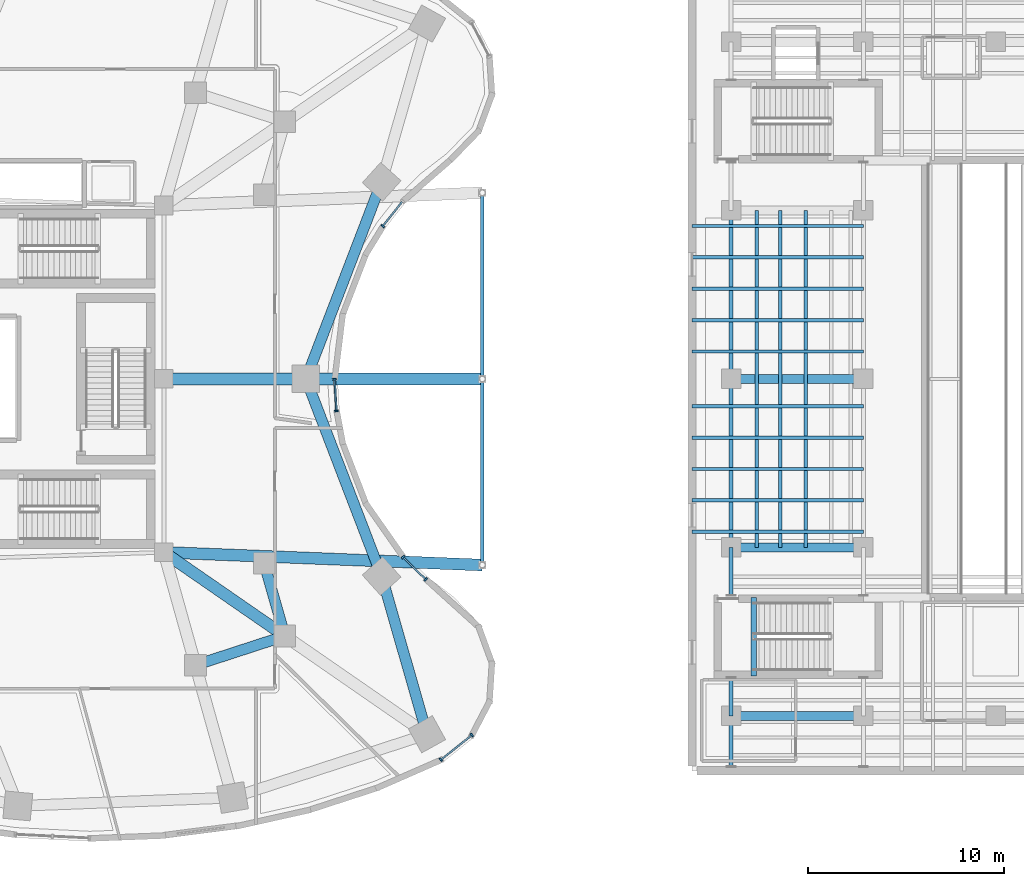
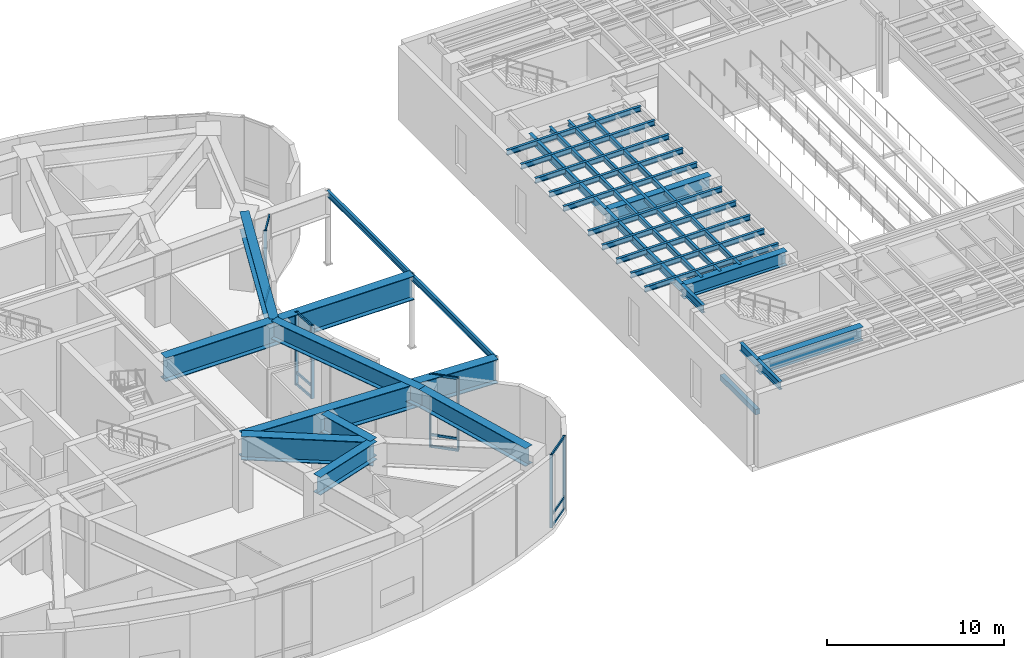
# One storey, part 8 of 23: 32 beams, 19 members, 4 elements without a shape of their own.
"""IFC4 building model written with IfcOpenShell, lengths in metres."""

from ifc_helpers import new_model, si_unit, direction, frame, origin, origin_2d, place, context, subcontext, project, spatial, rectangle, i_section, extrude, material, layer, layer_set, material_profile, profile_set, type_object, element, aggregate, save


model = new_model("IFC4")

# Units and contexts
model_context = context("Model", 3, precision=1e-05, world=origin(), true_north=direction((0.0, 1.0)))
body_context = subcontext(model_context, "Body", "Model", "MODEL_VIEW")
ifc_project = project(units=[si_unit("LENGTHUNIT", "METRE"), si_unit("AREAUNIT", "SQUARE_METRE"), si_unit("VOLUMEUNIT", "CUBIC_METRE"), si_unit("PLANEANGLEUNIT", "RADIAN"), si_unit("MASSUNIT", "GRAM", prefix="KILO")], contexts=[model_context])

# Site, building, storey
site_placement = place(None, origin())
site = spatial("IfcSite", under=ifc_project, at=site_placement, CompositionType="ELEMENT")
building_placement = place(site_placement, origin())
building = spatial("IfcBuilding", under=site, at=building_placement, Name="Korentha Bioscience Tower", CompositionType="ELEMENT")
storey_placement = place(building_placement, frame((0.0, 0.0, 15.0)))
storey = spatial("IfcBuildingStorey", under=building, at=storey_placement, Name="L03", CompositionType="ELEMENT", Elevation=15.0)

# Beams
ifc_material_1 = material(Name="Concrete C50", Category="concrete")
ifc_material_profile_1 = material_profile(ifc_material_1, rectangle(XDim=0.280029296875, YDim=0.3798828125, at=origin_2d()), Name="Concrete C50")
ifc_profile_set_1 = profile_set([ifc_material_profile_1], Name="Concrete C50 (ST-HB380)")
beam_type_1 = type_object("IfcBeamType", Name="Concrete Stair Header Beam RC 280x380", PredefinedType="BEAM", material=ifc_profile_set_1)
beam_1_placement = place(storey_placement, frame((67.64990234375, 11.85009765625, -0.18994140625), z_axis=(0.0, 1.0, 0.0), x_axis=(-1.0, 0.0, 0.0)))
element("IfcBeam", 1, at=beam_1_placement, inside=storey, type_object=beam_type_1, Name="L03 ST-T1 Concrete Stair Header Beam", PredefinedType="BEAM", context=body_context, shape_type="SweptSolid", body=[
    extrude(rectangle(XDim=0.280029296875, YDim=0.3798828125, at=origin_2d()), origin(), (0.0, 0.0, 1.0), 4.0),
])
ifc_material_2 = material(Name="Steel S355", Category="steel")
ifc_material_profile_2 = material_profile(ifc_material_2, i_section(OverallWidth=0.550048828125, OverallDepth=1.25, WebThickness=0.02392578125, FlangeThickness=0.0400390625, at=origin_2d()), Name="Steel S355")
ifc_profile_set_2 = profile_set([ifc_material_profile_2], Name="Steel S355 (TG-03)")
beam_type_2 = type_object("IfcBeamType", Name="Crown Step Transfer Girder CVS 1250x510", PredefinedType="USERDEFINED", material=ifc_profile_set_2)
beam_2_placement = place(storey_placement, frame((39.1611328125, 12.392333984375, 4.425048828125), z_axis=(0.950877001105, 0.309568940253, 0.0), x_axis=(-0.309568940253, 0.950877001105, 0.0)))
element("IfcBeam", 2, at=beam_2_placement, inside=storey, type_object=beam_type_2, Name="L03 Mid-Ring Tie Girder 12", ObjectType="TRANSFER_GIRDER", PredefinedType="USERDEFINED", context=body_context, shape_type="SweptSolid", body=[
    extrude(i_section(OverallWidth=0.550048828125, OverallDepth=1.25, WebThickness=0.02392578125, FlangeThickness=0.0400390625, at=origin_2d()), origin(), (0.0, 0.0, 1.0), 4.80126953125),
])
beam_3_placement = place(storey_placement, frame((43.7265625, 13.878662109375, 4.425048828125), z_axis=(-0.27560557792, 0.961270807535, 0.0), x_axis=(-0.961270807535, -0.27560557792, 0.0)))
element("IfcBeam", 3, at=beam_3_placement, inside=storey, type_object=beam_type_2, Name="L03 Mid-Ring Tie Girder 13", ObjectType="TRANSFER_GIRDER", PredefinedType="USERDEFINED", context=body_context, shape_type="SweptSolid", body=[
    extrude(i_section(OverallWidth=0.550048828125, OverallDepth=1.25, WebThickness=0.02392578125, FlangeThickness=0.0400390625, at=origin_2d()), origin(), (0.0, 0.0, 1.0), 3.864013671875),
])
beam_4_placement = place(storey_placement, frame((50.977294921875, 8.864501953125, 4.425048828125), z_axis=(-0.275642273411, 0.961260285827, 0.0), x_axis=(-0.961260285827, -0.275642273411, 0.0)))
element("IfcBeam", 4, at=beam_4_placement, inside=storey, type_object=beam_type_2, Name="L03 Perimeter Spandrel Girder 13", ObjectType="TRANSFER_GIRDER", PredefinedType="USERDEFINED", context=body_context, shape_type="SweptSolid", body=[
    extrude(i_section(OverallWidth=0.550048828125, OverallDepth=1.25, WebThickness=0.02392578125, FlangeThickness=0.0400390625, at=origin_2d()), origin(), (0.0, 0.0, 1.0), 8.400146484375),
])
for number, where, z_axis, x_axis, name in (
    (5, (48.661865234375, 16.939208984375, 4.425048828125), (-0.358473520253, 0.93353989485, 0.0), (-0.93353989485, -0.358473520253, 0.0), "L03 Perimeter Spandrel Girder 14"),
    (6, (44.798583984375, 27.0, 4.425048828125), (0.358473520253, 0.93353989485, 0.0), (-0.93353989485, 0.358473520253, 0.0), "L03 Perimeter Spandrel Girder 15"),
):
    element("IfcBeam", number, at=place(storey_placement, frame(where, z_axis=z_axis, x_axis=x_axis)), inside=storey, type_object=beam_type_2, Name=name, ObjectType="TRANSFER_GIRDER", PredefinedType="USERDEFINED", context=body_context, shape_type="SweptSolid", body=[
        extrude(i_section(OverallWidth=0.550048828125, OverallDepth=1.25, WebThickness=0.02392578125, FlangeThickness=0.0400390625, at=origin_2d()), origin(), (0.0, 0.0, 1.0), 10.777099609375),
    ])
ifc_material_profile_3 = material_profile(ifc_material_2, i_section(OverallWidth=0.60009765625, OverallDepth=1.64990234375, WebThickness=0.02587890625, FlangeThickness=0.0439453125, at=origin_2d()), Name="Steel S355")
ifc_profile_set_3 = profile_set([ifc_material_profile_3], Name="Steel S355 (TG-04)")
beam_type_3 = type_object("IfcBeamType", Name="Deep Setback Transfer Girder CVS 1650x620", PredefinedType="USERDEFINED", material=ifc_profile_set_3)
beam_5_placement = place(storey_placement, frame((37.550048828125, 18.14990234375, 4.22509765625), z_axis=(0.822491697625, -0.568777115694, 0.0), x_axis=(0.568777115694, 0.822491697625, 0.0)))
element("IfcBeam", 7, at=beam_5_placement, inside=storey, type_object=beam_type_3, Name="L03 Inner Radial Transfer Girder 13", ObjectType="TRANSFER_GIRDER", PredefinedType="USERDEFINED", context=body_context, shape_type="SweptSolid", body=[
    extrude(i_section(OverallWidth=0.60009765625, OverallDepth=1.64990234375, WebThickness=0.02587890625, FlangeThickness=0.0439453125, at=origin_2d()), origin(), (0.0, 0.0, 1.0), 7.509521484375),
])
beam_6_placement = place(storey_placement, frame((37.550048828125, 18.14990234375, 4.22509765625), z_axis=(0.999201198513, -0.039962043126, 0.0), x_axis=(0.039962043126, 0.999201198513, 0.0)))
element("IfcBeam", 8, at=beam_6_placement, inside=storey, type_object=beam_type_3, Name="L03 Courtyard Terrace Support Girder 1", ObjectType="TRANSFER_GIRDER", PredefinedType="USERDEFINED", context=body_context, shape_type="SweptSolid", body=[
    extrude(i_section(OverallWidth=0.60009765625, OverallDepth=1.64990234375, WebThickness=0.02587890625, FlangeThickness=0.0439453125, at=origin_2d()), origin(), (0.0, 0.0, 1.0), 16.262939453125),
])
beam_7_placement = place(storey_placement, frame((37.550048828125, 27.0, 4.22509765625), z_axis=(1.0, 0.0, 0.0), x_axis=(0.0, 1.0, 0.0)))
element("IfcBeam", 9, at=beam_7_placement, inside=storey, type_object=beam_type_3, Name="L03 Courtyard Terrace Support Girder 2", ObjectType="TRANSFER_GIRDER", PredefinedType="USERDEFINED", context=body_context, shape_type="SweptSolid", body=[
    extrude(i_section(OverallWidth=0.60009765625, OverallDepth=1.64990234375, WebThickness=0.02587890625, FlangeThickness=0.0439453125, at=origin_2d()), origin(), (0.0, 0.0, 1.0), 16.25),
])

# Curtain wall, members
ifc_material_3 = material(Name="Stone-Clad Aluminium Frame", Category="masonry")
ifc_layer = layer(ifc_material_3, 0.219970703125, Name="Stone-Clad Aluminium Frame")
ifc_layer_set = layer_set([ifc_layer], Name="Stone-Clad Aluminium Frame (CW-P1)")
curtain_wall_type = type_object("IfcCurtainWallType", Name="Podium Double-Height Stone-Mullion Curtain Wall CW-P1", PredefinedType="USERDEFINED", material=ifc_layer_set)
curtain_wall_1_placement = place(storey_placement, origin())
curtain_wall_1 = element("IfcCurtainWall", 10, at=curtain_wall_1_placement, inside=storey, type_object=curtain_wall_type, Name="L03 Curtain Wall 37", ObjectType="UNITISED", PredefinedType="USERDEFINED")
ifc_material_4 = material(Name="Anodised Aluminium 6063-T6", Category="aluminium")
ifc_material_profile_4 = material_profile(ifc_material_4, rectangle(XDim=0.090087890625, YDim=0.199951171875, at=origin_2d()), Name="Anodised Aluminium 6063-T6")
ifc_profile_set_4 = profile_set([ifc_material_profile_4], Name="Anodised Aluminium 6063-T6 (CW-MUL)")
member_type_1 = type_object("IfcMemberType", Name="Mullion RECT 90x200", PredefinedType="MULLION", material=ifc_profile_set_4)
member_1_placement = place(storey_placement, frame((51.6865234375, 7.56298828125, 0.0), z_axis=(0.0, 0.0, 1.0), x_axis=(0.782287851332, 0.62291710336, 0.0)))
member_1 = element("IfcMember", 11, at=member_1_placement, type_object=member_type_1, Name="CW-L03-37 Mullion 1", PredefinedType="MULLION", context=body_context, shape_type="SweptSolid", body=[
    extrude(rectangle(XDim=0.090087890625, YDim=0.199951171875, at=origin_2d()), origin(), (0.0, 0.0, 1.0), 5.050048828125),
])
member_2_placement = place(storey_placement, frame((53.264892578125, 8.81982421875, 0.0), z_axis=(0.0, 0.0, 1.0), x_axis=(0.782287851332, 0.62291710336, 0.0)))
member_2 = element("IfcMember", 12, at=member_2_placement, type_object=member_type_1, Name="CW-L03-37 Mullion 2", PredefinedType="MULLION", context=body_context, shape_type="SweptSolid", body=[
    extrude(rectangle(XDim=0.090087890625, YDim=0.199951171875, at=origin_2d()), origin(), (0.0, 0.0, 1.0), 5.050048828125),
])

curtain_wall_2_placement = place(storey_placement, origin())
curtain_wall_2 = element("IfcCurtainWall", 13, at=curtain_wall_2_placement, inside=storey, type_object=curtain_wall_type, Name="L03 Curtain Wall 43", ObjectType="UNITISED", PredefinedType="USERDEFINED")
member_3_placement = place(storey_placement, frame((50.913818359375, 16.76513671875, 0.0), z_axis=(0.0, 0.0, 1.0), x_axis=(-0.713279246754, 0.700879958445, 0.0)))
member_3 = element("IfcMember", 14, at=member_3_placement, type_object=member_type_1, Name="CW-L03-43 Mullion 1", PredefinedType="MULLION", context=body_context, shape_type="SweptSolid", body=[
    extrude(rectangle(XDim=0.090087890625, YDim=0.199951171875, at=origin_2d()), origin(), (0.0, 0.0, 1.0), 5.050048828125),
])
member_4_placement = place(storey_placement, frame((49.752685546875, 17.90625, 0.0), z_axis=(0.0, 0.0, 1.0), x_axis=(-0.713279246754, 0.700879958445, 0.0)))
member_4 = element("IfcMember", 15, at=member_4_placement, type_object=member_type_1, Name="CW-L03-43 Mullion 2", PredefinedType="MULLION", context=body_context, shape_type="SweptSolid", body=[
    extrude(rectangle(XDim=0.090087890625, YDim=0.199951171875, at=origin_2d()), origin(), (0.0, 0.0, 1.0), 5.050048828125),
])

curtain_wall_3_placement = place(storey_placement, origin())
curtain_wall_3 = element("IfcCurtainWall", 16, at=curtain_wall_3_placement, inside=storey, type_object=curtain_wall_type, Name="L03 Curtain Wall 49", ObjectType="UNITISED", PredefinedType="USERDEFINED")
member_5_placement = place(storey_placement, frame((46.355712890625, 25.3603515625, 0.0), z_axis=(0.0, 0.0, 1.0), x_axis=(-0.061008272998, 0.998137260413, 0.0)))
member_5 = element("IfcMember", 17, at=member_5_placement, type_object=member_type_1, Name="CW-L03-49 Mullion 1", PredefinedType="MULLION", context=body_context, shape_type="SweptSolid", body=[
    extrude(rectangle(XDim=0.090087890625, YDim=0.199951171875, at=origin_2d()), origin(), (0.0, 0.0, 1.0), 5.050048828125),
])
member_6_placement = place(storey_placement, frame((46.25634765625, 26.985107421875, 0.0), z_axis=(0.0, 0.0, 1.0), x_axis=(-0.061008272998, 0.998137260413, 0.0)))
member_6 = element("IfcMember", 18, at=member_6_placement, type_object=member_type_1, Name="CW-L03-49 Mullion 2", PredefinedType="MULLION", context=body_context, shape_type="SweptSolid", body=[
    extrude(rectangle(XDim=0.090087890625, YDim=0.199951171875, at=origin_2d()), origin(), (0.0, 0.0, 1.0), 5.050048828125),
])

# Curtain wall, member
curtain_wall_4_placement = place(storey_placement, origin())
curtain_wall_4 = element("IfcCurtainWall", 19, at=curtain_wall_4_placement, inside=storey, type_object=curtain_wall_type, Name="L03 Curtain Wall 55", ObjectType="UNITISED", PredefinedType="USERDEFINED")
member_7_placement = place(storey_placement, frame((48.719482421875, 34.7978515625, 0.0), z_axis=(0.0, 0.0, 1.0), x_axis=(0.622520324648, 0.782603632371, 0.0)))
member_7 = element("IfcMember", 20, at=member_7_placement, type_object=member_type_1, Name="CW-L03-55 Mullion 1", PredefinedType="MULLION", context=body_context, shape_type="SweptSolid", body=[
    extrude(rectangle(XDim=0.090087890625, YDim=0.199951171875, at=origin_2d()), origin(), (0.0, 0.0, 1.0), 5.050048828125),
])

# Beams
ifc_material_profile_5 = material_profile(ifc_material_2, i_section(OverallWidth=0.208984375, OverallDepth=0.532958984375, WebThickness=0.01025390625, FlangeThickness=0.015625, at=origin_2d()), Name="Steel S355")
ifc_profile_set_5 = profile_set([ifc_material_profile_5], Name="Steel S355 (SB-530)")
beam_type_4 = type_object("IfcBeamType", Name="Perimeter Ring Spandrel Girder W530x92", PredefinedType="SPANDREL", material=ifc_profile_set_5)
beam_8_placement = place(storey_placement, frame((66.5, 7.2099609375, 4.83349609375), z_axis=(0.0, 1.0, 0.0), x_axis=(-1.0, 0.0, 0.0)))
element("IfcBeam", 21, at=beam_8_placement, inside=storey, type_object=beam_type_4, Name="L03 Theatre Collector Girder 1-1", PredefinedType="SPANDREL", context=body_context, shape_type="SweptSolid", body=[
    extrude(i_section(OverallWidth=0.208984375, OverallDepth=0.532958984375, WebThickness=0.01025390625, FlangeThickness=0.015625, at=origin_2d()), origin(), (0.0, 0.0, 1.0), 2.590087890625),
])
beam_9_placement = place(storey_placement, frame((66.5, 9.800048828125, 4.83349609375), z_axis=(0.0, 1.0, 0.0), x_axis=(-1.0, 0.0, 0.0)))
element("IfcBeam", 22, at=beam_9_placement, inside=storey, type_object=beam_type_4, Name="L03 Theatre Collector Girder 1-2", PredefinedType="SPANDREL", context=body_context, shape_type="SweptSolid", body=[
    extrude(i_section(OverallWidth=0.208984375, OverallDepth=0.532958984375, WebThickness=0.01025390625, FlangeThickness=0.015625, at=origin_2d()), origin(), (0.0, 0.0, 1.0), 1.949951171875),
])
beam_10_placement = place(storey_placement, frame((66.5, 15.949951171875, 4.83349609375), z_axis=(0.0, 1.0, 0.0), x_axis=(-1.0, 0.0, 0.0)))
element("IfcBeam", 23, at=beam_10_placement, inside=storey, type_object=beam_type_4, Name="L03 Theatre Collector Girder 1-3", PredefinedType="SPANDREL", context=body_context, shape_type="SweptSolid", body=[
    extrude(i_section(OverallWidth=0.208984375, OverallDepth=0.532958984375, WebThickness=0.01025390625, FlangeThickness=0.015625, at=origin_2d()), origin(), (0.0, 0.0, 1.0), 2.449951171875),
])
for number, where, z_axis, x_axis, name in (
    (24, (66.5, 18.39990234375, 4.83349609375), (0.0, 1.0, 0.0), (-1.0, 0.0, 0.0), "L03 Theatre Collector Girder 1-4"),
    (25, (66.5, 27.0, 4.83349609375), (0.0, 1.0, 0.0), (-1.0, 0.0, 0.0), "L03 Theatre Collector Girder 1-5"),
):
    element("IfcBeam", number, at=place(storey_placement, frame(where, z_axis=z_axis, x_axis=x_axis)), inside=storey, type_object=beam_type_4, Name=name, PredefinedType="SPANDREL", context=body_context, shape_type="SweptSolid", body=[
        extrude(i_section(OverallWidth=0.208984375, OverallDepth=0.532958984375, WebThickness=0.01025390625, FlangeThickness=0.015625, at=origin_2d()), origin(), (0.0, 0.0, 1.0), 8.60009765625),
    ])
ifc_material_profile_6 = material_profile(ifc_material_2, i_section(OverallWidth=0.1708984375, OverallDepth=0.35498046875, WebThickness=0.007080078125, FlangeThickness=0.01171875, at=origin_2d()), Name="Steel S355")
ifc_profile_set_6 = profile_set([ifc_material_profile_6], Name="Steel S355 (JB-360)")
beam_type_5 = type_object("IfcBeamType", Name="Secondary Laboratory Joist W360x51", PredefinedType="JOIST", material=ifc_profile_set_6)
for number, where, z_axis, x_axis, name in (
    (26, (67.800048828125, 18.39990234375, 4.922607421875), (0.0, 1.0, 0.0), (-1.0, 0.0, 0.0), "L03 Theatre Foyer Longitudinal Joist 01"),
    (27, (69.0, 18.39990234375, 4.922607421875), (0.0, 1.0, 0.0), (-1.0, 0.0, 0.0), "L03 Theatre Foyer Longitudinal Joist 02"),
    (28, (70.300048828125, 18.39990234375, 4.922607421875), (0.0, 1.0, 0.0), (-1.0, 0.0, 0.0), "L03 Theatre Foyer Longitudinal Joist 03"),
):
    element("IfcBeam", number, at=place(storey_placement, frame(where, z_axis=z_axis, x_axis=x_axis)), inside=storey, type_object=beam_type_5, Name=name, PredefinedType="JOIST", context=body_context, shape_type="SweptSolid", body=[
        extrude(i_section(OverallWidth=0.1708984375, OverallDepth=0.35498046875, WebThickness=0.007080078125, FlangeThickness=0.01171875, at=origin_2d()), origin(), (0.0, 0.0, 1.0), 17.2001953125),
    ])
for number, where, z_axis, x_axis, name in (
    (29, (64.5, 19.199951171875, 4.922607421875), (1.0, 0.0, 0.0), (0.0, 1.0, 0.0), "L03 Theatre Foyer Joist 01"),
    (30, (64.5, 20.800048828125, 4.922607421875), (1.0, 0.0, 0.0), (0.0, 1.0, 0.0), "L03 Theatre Foyer Joist 02"),
    (31, (64.5, 22.39990234375, 4.922607421875), (1.0, 0.0, 0.0), (0.0, 1.0, 0.0), "L03 Theatre Foyer Joist 03"),
    (32, (64.5, 24.0, 4.922607421875), (1.0, 0.0, 0.0), (0.0, 1.0, 0.0), "L03 Theatre Foyer Joist 04"),
    (33, (64.5, 25.60009765625, 4.922607421875), (1.0, 0.0, 0.0), (0.0, 1.0, 0.0), "L03 Theatre Foyer Joist 05"),
    (34, (64.5, 28.39990234375, 4.922607421875), (1.0, 0.0, 0.0), (0.0, 1.0, 0.0), "L03 Theatre Foyer Joist 06"),
    (35, (64.5, 30.0, 4.922607421875), (1.0, 0.0, 0.0), (0.0, 1.0, 0.0), "L03 Theatre Foyer Joist 07"),
    (36, (64.5, 31.60009765625, 4.922607421875), (1.0, 0.0, 0.0), (0.0, 1.0, 0.0), "L03 Theatre Foyer Joist 08"),
    (37, (64.5, 33.199951171875, 4.922607421875), (1.0, 0.0, 0.0), (0.0, 1.0, 0.0), "L03 Theatre Foyer Joist 09"),
    (38, (64.5, 34.800048828125, 4.922607421875), (1.0, 0.0, 0.0), (0.0, 1.0, 0.0), "L03 Theatre Foyer Joist 10"),
):
    element("IfcBeam", number, at=place(storey_placement, frame(where, z_axis=z_axis, x_axis=x_axis)), inside=storey, type_object=beam_type_5, Name=name, PredefinedType="JOIST", context=body_context, shape_type="SweptSolid", body=[
        extrude(i_section(OverallWidth=0.1708984375, OverallDepth=0.35498046875, WebThickness=0.007080078125, FlangeThickness=0.01171875, at=origin_2d()), origin(), (0.0, 0.0, 1.0), 8.75),
    ])
ifc_material_profile_7 = material_profile(ifc_material_2, i_section(OverallWidth=0.177978515625, OverallDepth=0.406982421875, WebThickness=0.0078125, FlangeThickness=0.0126953125, at=origin_2d()), Name="Steel S355")
ifc_profile_set_7 = profile_set([ifc_material_profile_7], Name="Steel S355 (CB-410)")
beam_type_6 = type_object("IfcBeamType", Name="Sun-Ledge Cantilever Beam W410x60", PredefinedType="BEAM", material=ifc_profile_set_7)
for number, where, z_axis, x_axis, name in (
    (39, (53.800048828125, 17.5, 4.846435546875), (0.0, 1.0, 0.0), (-1.0, 0.0, 0.0), "L03 Courtyard Terrace Edge Beam 1"),
    (40, (53.800048828125, 27.0, 4.846435546875), (0.0, 1.0, 0.0), (-1.0, 0.0, 0.0), "L03 Courtyard Terrace Edge Beam 2"),
):
    element("IfcBeam", number, at=place(storey_placement, frame(where, z_axis=z_axis, x_axis=x_axis)), inside=storey, type_object=beam_type_6, Name=name, PredefinedType="BEAM", context=body_context, shape_type="SweptSolid", body=[
        extrude(i_section(OverallWidth=0.177978515625, OverallDepth=0.406982421875, WebThickness=0.0078125, FlangeThickness=0.0126953125, at=origin_2d()), origin(), (0.0, 0.0, 1.0), 9.5),
    ])
ifc_material_profile_8 = material_profile(ifc_material_2, i_section(OverallWidth=0.449951171875, OverallDepth=0.949951171875, WebThickness=0.02001953125, FlangeThickness=0.034912109375, at=origin_2d()), Name="Steel S355")
ifc_profile_set_8 = profile_set([ifc_material_profile_8], Name="Steel S355 (TB-950)")
beam_type_7 = type_object("IfcBeamType", Name="Theatre Primary Girder CVS 950x374", PredefinedType="BEAM", material=ifc_profile_set_8)
for number, where, z_axis, x_axis, name in (
    (41, (66.5, 9.800048828125, 4.625), (1.0, 0.0, 0.0), (0.0, 1.0, 0.0), "L03 Theatre Foyer Girder 1"),
    (42, (66.5, 18.39990234375, 4.625), (1.0, 0.0, 0.0), (0.0, 1.0, 0.0), "L03 Theatre Foyer Girder 2"),
    (43, (66.5, 27.0, 4.625), (1.0, 0.0, 0.0), (0.0, 1.0, 0.0), "L03 Theatre Foyer Girder 3"),
):
    element("IfcBeam", number, at=place(storey_placement, frame(where, z_axis=z_axis, x_axis=x_axis)), inside=storey, type_object=beam_type_7, Name=name, PredefinedType="BEAM", context=body_context, shape_type="SweptSolid", body=[
        extrude(i_section(OverallWidth=0.449951171875, OverallDepth=0.949951171875, WebThickness=0.02001953125, FlangeThickness=0.034912109375, at=origin_2d()), origin(), (0.0, 0.0, 1.0), 6.75),
    ])

# Member
ifc_material_profile_9 = material_profile(ifc_material_4, rectangle(XDim=0.090087890625, YDim=0.159912109375, at=origin_2d()), Name="Anodised Aluminium 6063-T6")
ifc_profile_set_9 = profile_set([ifc_material_profile_9], Name="Anodised Aluminium 6063-T6 (CW-TRN)")
member_type_2 = type_object("IfcMemberType", Name="Transom RECT 90x160", PredefinedType="USERDEFINED", material=ifc_profile_set_9)
member_8_placement = place(storey_placement, frame((51.7216796875, 7.591064453125, 0.044921875), z_axis=(0.78232471634, 0.622870803782, 0.0), x_axis=(-0.622870803782, 0.78232471634, 0.0)))
member_8 = element("IfcMember", 44, at=member_8_placement, type_object=member_type_2, Name="CW-L03-37 Bay 1 Transom 1", ObjectType="TRANSOM", PredefinedType="USERDEFINED", context=body_context, shape_type="SweptSolid", body=[
    extrude(rectangle(XDim=0.090087890625, YDim=0.159912109375, at=origin_2d()), origin(), (0.0, 0.0, 1.0), 1.927734375),
])

member_9_placement = place(storey_placement, frame((51.7216796875, 7.591064453125, 0.85009765625), z_axis=(0.78232471634, 0.622870803782, 0.0), x_axis=(-0.622870803782, 0.78232471634, 0.0)))
member_9 = element("IfcMember", 45, at=member_9_placement, type_object=member_type_2, Name="CW-L03-37 Bay 1 Transom 2", ObjectType="TRANSOM", PredefinedType="USERDEFINED", context=body_context, shape_type="SweptSolid", body=[
    extrude(rectangle(XDim=0.090087890625, YDim=0.159912109375, at=origin_2d()), origin(), (0.0, 0.0, 1.0), 1.927734375),
])

member_10_placement = place(storey_placement, frame((51.7216796875, 7.591064453125, 5.0048828125), z_axis=(0.78232471634, 0.622870803782, 0.0), x_axis=(-0.622870803782, 0.78232471634, 0.0)))
member_10 = element("IfcMember", 46, at=member_10_placement, type_object=member_type_2, Name="CW-L03-37 Bay 1 Transom 3", ObjectType="TRANSOM", PredefinedType="USERDEFINED", context=body_context, shape_type="SweptSolid", body=[
    extrude(rectangle(XDim=0.090087890625, YDim=0.159912109375, at=origin_2d()), origin(), (0.0, 0.0, 1.0), 1.927734375),
])

aggregate(curtain_wall_1, [member_1, member_2, member_8, member_9, member_10])

member_11_placement = place(storey_placement, frame((50.8818359375, 16.796875, 0.044921875), z_axis=(-0.713350356322, 0.700807583531, 0.0), x_axis=(-0.700807583531, -0.713350356322, 0.0)))
member_11 = element("IfcMember", 47, at=member_11_placement, type_object=member_type_2, Name="CW-L03-43 Bay 1 Transom 1", ObjectType="TRANSOM", PredefinedType="USERDEFINED", context=body_context, shape_type="SweptSolid", body=[
    extrude(rectangle(XDim=0.090087890625, YDim=0.159912109375, at=origin_2d()), origin(), (0.0, 0.0, 1.0), 1.53759765625),
])

member_12_placement = place(storey_placement, frame((50.8818359375, 16.796875, 0.85009765625), z_axis=(-0.713350356322, 0.700807583531, 0.0), x_axis=(-0.700807583531, -0.713350356322, 0.0)))
member_12 = element("IfcMember", 48, at=member_12_placement, type_object=member_type_2, Name="CW-L03-43 Bay 1 Transom 2", ObjectType="TRANSOM", PredefinedType="USERDEFINED", context=body_context, shape_type="SweptSolid", body=[
    extrude(rectangle(XDim=0.090087890625, YDim=0.159912109375, at=origin_2d()), origin(), (0.0, 0.0, 1.0), 1.53759765625),
])

member_13_placement = place(storey_placement, frame((50.8818359375, 16.796875, 5.0048828125), z_axis=(-0.713350356322, 0.700807583531, 0.0), x_axis=(-0.700807583531, -0.713350356322, 0.0)))
member_13 = element("IfcMember", 49, at=member_13_placement, type_object=member_type_2, Name="CW-L03-43 Bay 1 Transom 3", ObjectType="TRANSOM", PredefinedType="USERDEFINED", context=body_context, shape_type="SweptSolid", body=[
    extrude(rectangle(XDim=0.090087890625, YDim=0.159912109375, at=origin_2d()), origin(), (0.0, 0.0, 1.0), 1.53759765625),
])

aggregate(curtain_wall_2, [member_3, member_4, member_11, member_12, member_13])

member_14_placement = place(storey_placement, frame((46.352783203125, 25.4052734375, 0.044921875), z_axis=(-0.060964804815, 0.998139916331, 0.0), x_axis=(-0.998139916331, -0.060964804815, 0.0)))
member_14 = element("IfcMember", 50, at=member_14_placement, type_object=member_type_2, Name="CW-L03-49 Bay 1 Transom 1", ObjectType="TRANSOM", PredefinedType="USERDEFINED", context=body_context, shape_type="SweptSolid", body=[
    extrude(rectangle(XDim=0.090087890625, YDim=0.159912109375, at=origin_2d()), origin(), (0.0, 0.0, 1.0), 1.537841796875),
])

member_15_placement = place(storey_placement, frame((46.352783203125, 25.4052734375, 0.85009765625), z_axis=(-0.060964804815, 0.998139916331, 0.0), x_axis=(-0.998139916331, -0.060964804815, 0.0)))
member_15 = element("IfcMember", 51, at=member_15_placement, type_object=member_type_2, Name="CW-L03-49 Bay 1 Transom 2", ObjectType="TRANSOM", PredefinedType="USERDEFINED", context=body_context, shape_type="SweptSolid", body=[
    extrude(rectangle(XDim=0.090087890625, YDim=0.159912109375, at=origin_2d()), origin(), (0.0, 0.0, 1.0), 1.537841796875),
])

member_16_placement = place(storey_placement, frame((46.352783203125, 25.4052734375, 5.0048828125), z_axis=(-0.060964804815, 0.998139916331, 0.0), x_axis=(-0.998139916331, -0.060964804815, 0.0)))
member_16 = element("IfcMember", 52, at=member_16_placement, type_object=member_type_2, Name="CW-L03-49 Bay 1 Transom 3", ObjectType="TRANSOM", PredefinedType="USERDEFINED", context=body_context, shape_type="SweptSolid", body=[
    extrude(rectangle(XDim=0.090087890625, YDim=0.159912109375, at=origin_2d()), origin(), (0.0, 0.0, 1.0), 1.537841796875),
])

aggregate(curtain_wall_3, [member_5, member_6, member_14, member_15, member_16])

member_17_placement = place(storey_placement, frame((48.74755859375, 34.8330078125, 0.044921875), z_axis=(0.622563336945, 0.782569416405, 0.0), x_axis=(-0.782569416405, 0.622563336945, 0.0)))
member_17 = element("IfcMember", 53, at=member_17_placement, type_object=member_type_2, Name="CW-L03-55 Bay 1 Transom 1", ObjectType="TRANSOM", PredefinedType="USERDEFINED", context=body_context, shape_type="SweptSolid", body=[
    extrude(rectangle(XDim=0.090087890625, YDim=0.159912109375, at=origin_2d()), origin(), (0.0, 0.0, 1.0), 1.5380859375),
])

member_18_placement = place(storey_placement, frame((48.74755859375, 34.8330078125, 0.85009765625), z_axis=(0.622563336945, 0.782569416405, 0.0), x_axis=(-0.782569416405, 0.622563336945, 0.0)))
member_18 = element("IfcMember", 54, at=member_18_placement, type_object=member_type_2, Name="CW-L03-55 Bay 1 Transom 2", ObjectType="TRANSOM", PredefinedType="USERDEFINED", context=body_context, shape_type="SweptSolid", body=[
    extrude(rectangle(XDim=0.090087890625, YDim=0.159912109375, at=origin_2d()), origin(), (0.0, 0.0, 1.0), 1.5380859375),
])

member_19_placement = place(storey_placement, frame((48.74755859375, 34.8330078125, 5.0048828125), z_axis=(0.622563336945, 0.782569416405, 0.0), x_axis=(-0.782569416405, 0.622563336945, 0.0)))
member_19 = element("IfcMember", 55, at=member_19_placement, type_object=member_type_2, Name="CW-L03-55 Bay 1 Transom 3", ObjectType="TRANSOM", PredefinedType="USERDEFINED", context=body_context, shape_type="SweptSolid", body=[
    extrude(rectangle(XDim=0.090087890625, YDim=0.159912109375, at=origin_2d()), origin(), (0.0, 0.0, 1.0), 1.5380859375),
])

aggregate(curtain_wall_4, [member_7, member_17, member_18, member_19])

save(model, "model.ifc")
